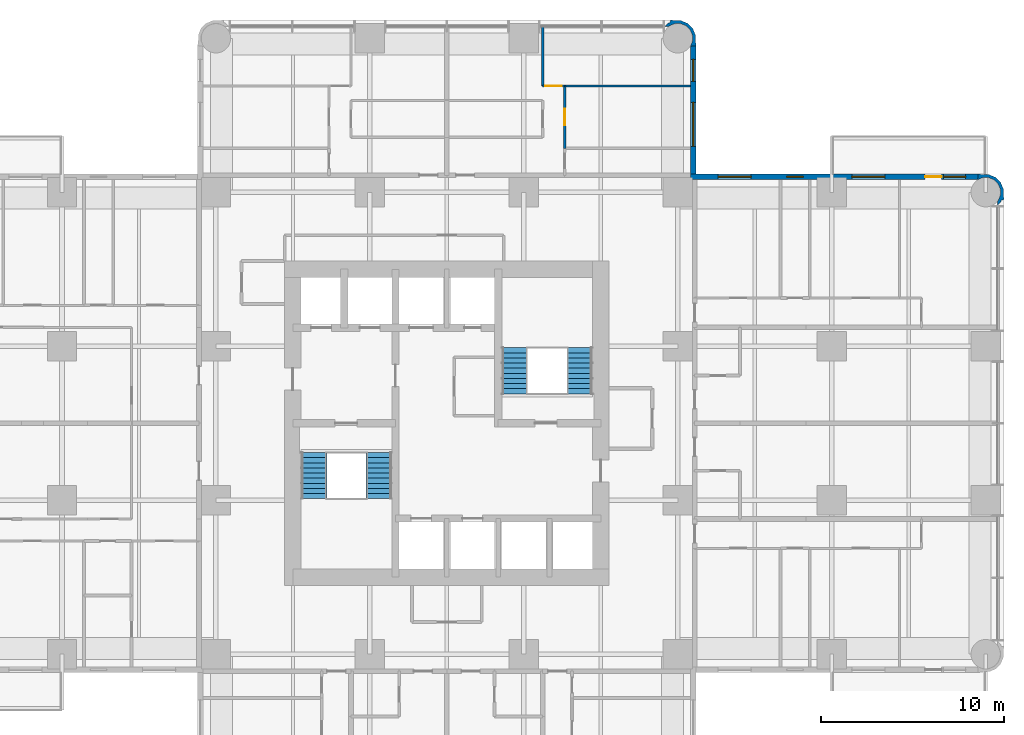
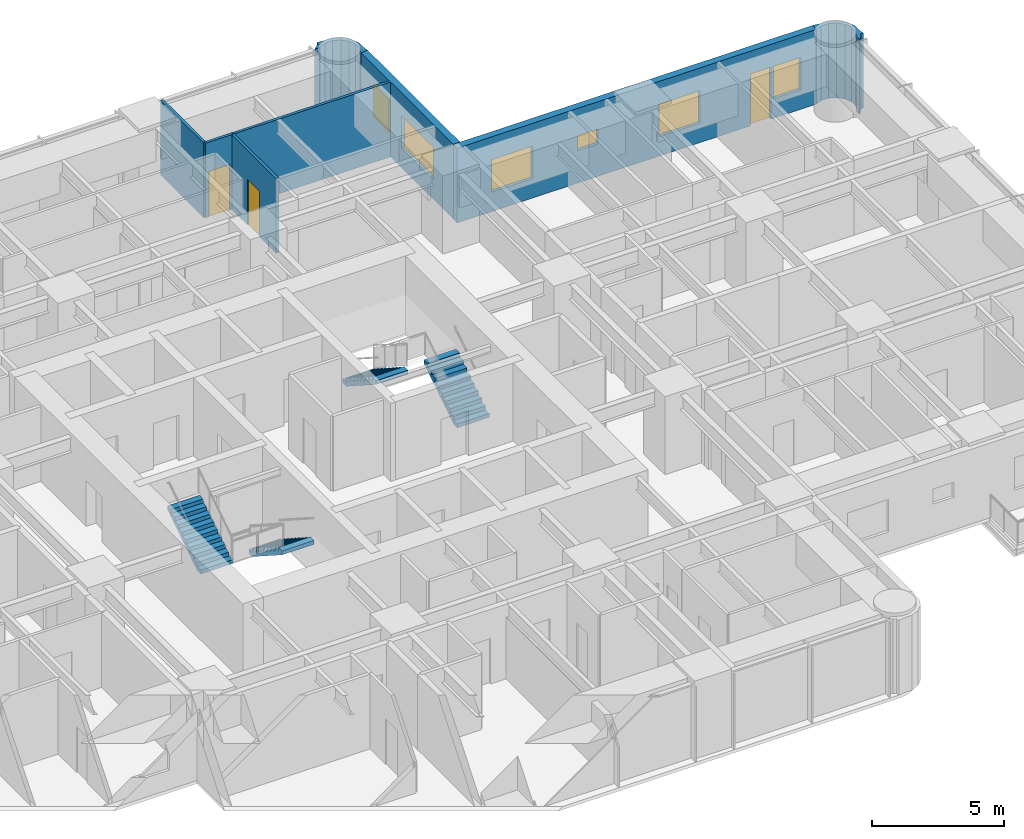
# One storey, part 12 of 14: 8 walls, 6 windows, 4 stair flights, 3 doors, 9 openings, 2 elements without a shape of their own.
"""IFC4 building model written with IfcOpenShell, lengths in metres."""

from ifc_helpers import new_model, si_unit, direction, frame, frame_2d, origin, place, context, subcontext, project, spatial, polyline, rectangle, outline, extrude, material, layer, layer_set, type_object, element, fill, aggregate, save


model = new_model("IFC4")

# Units and contexts
model_context = context("Model", 3, precision=1e-05, world=origin(), true_north=direction((0.0, 1.0)))
body_context = subcontext(model_context, "Body", "Model", "MODEL_VIEW")
ifc_project = project(units=[si_unit("LENGTHUNIT", "METRE"), si_unit("AREAUNIT", "SQUARE_METRE"), si_unit("VOLUMEUNIT", "CUBIC_METRE"), si_unit("PLANEANGLEUNIT", "RADIAN"), si_unit("MASSUNIT", "GRAM", prefix="KILO")], contexts=[model_context])

# Site, building, storey
site_placement = place(None, origin())
site = spatial("IfcSite", under=ifc_project, at=site_placement, CompositionType="ELEMENT")
building_placement = place(site_placement, origin())
building = spatial("IfcBuilding", under=site, at=building_placement, Name="Torre Alcanfor", CompositionType="ELEMENT")
storey_placement = place(building_placement, frame((0.0, 0.0, 159.300048828125)))
storey = spatial("IfcBuildingStorey", under=building, at=storey_placement, Name="L41", CompositionType="ELEMENT", Elevation=159.300048828125)

# Wall, opening, door
ifc_material_1 = material(Name="Gypsum board on steel studs", Category="steel")
ifc_layer_1 = layer(ifc_material_1, 0.1201171875)
ifc_layer_set_1 = layer_set([ifc_layer_1], Name="Apartment partition 120")
wall_type_1 = type_object("IfcWallType", Name="Apartment partition 120", PredefinedType="PARTITIONING", material=ifc_layer_set_1)
wall_1_placement = place(storey_placement, frame((35.8291015625, 47.800048828125, 0.0), z_axis=(0.0, 0.0, 1.0), x_axis=(0.0, -1.0, 0.0)))
wall_1 = element("IfcWall", 1, at=wall_1_placement, inside=storey, type_object=wall_type_1, Name="Partition L41-N2-LIVING / L41-N2-STUDY", PredefinedType="PARTITIONING", context=body_context, shape_type="SweptSolid", body=[
    extrude(rectangle(XDim=3.400146484375, YDim=0.1201171875, at=frame_2d((1.7001953125, 0.0))), origin(), (0.0, 0.0, 1.0), 3.449951171875),
])
opening_1_placement = place(wall_1_placement, frame((1.25, 0.0, 0.0)))
opening_1 = element("IfcOpeningElement", 2, at=opening_1_placement, cuts=wall_1, Name="Opening D-R1", PredefinedType="OPENING", context=body_context, shape_type="SweptSolid", body=[
    extrude(rectangle(XDim=0.89990234375, YDim=2.10009765625, at=frame_2d((0.449951171875, 1.050048828125))), frame((0.0, 0.070068359375, 0.0), z_axis=(0.0, -1.0, 0.0), x_axis=(1.0, 0.0, 0.0)), (0.0, 0.0, 1.0), 0.14013671875),
])
ifc_material_2 = material(Name="Timber", Category="wood")
door_type_1 = type_object("IfcDoorType", Name="Internal door 900x2100", OperationType="SINGLE_SWING_LEFT", PredefinedType="DOOR", material=ifc_material_2)
door_1_placement = place(opening_1_placement, origin())
door_1 = element("IfcDoor", 3, at=door_1_placement, inside=storey, type_object=door_type_1, Name="Door L41-N2 study", OperationType="SINGLE_SWING_LEFT", OverallHeight=2.10009765625, OverallWidth=0.89990234375, PredefinedType="DOOR", context=body_context, shape_type="SweptSolid", body=[
    extrude(rectangle(XDim=0.89990234375, YDim=2.10009765625, at=frame_2d((0.449951171875, 1.050048828125))), frame((0.0, 0.02490234375, 0.0), z_axis=(0.0, -1.0, 0.0), x_axis=(1.0, 0.0, 0.0)), (0.0, 0.0, 1.0), 0.050048828125),
])
fill(opening_1, door_1)

# Wall
wall_2_placement = place(storey_placement, frame((34.62890625, 51.050048828125, 0.0), z_axis=(0.0, 0.0, 1.0), x_axis=(0.0, -1.0, 0.0)))
element("IfcWall", 4, at=wall_2_placement, inside=storey, type_object=wall_type_1, Name="Partition L41-N2-LIVING / L41-N2-MASTER", PredefinedType="PARTITIONING", context=body_context, shape_type="SweptSolid", body=[
    extrude(rectangle(XDim=3.25, YDim=0.1201171875, at=frame_2d((1.625, 0.0))), origin(), (0.0, 0.0, 1.0), 3.449951171875),
])

# Wall, opening, door
wall_3_placement = place(storey_placement, frame((34.62890625, 47.800048828125, 0.0), z_axis=(0.0, 0.0, 1.0), x_axis=(1.0, 0.0, 0.0)))
wall_3 = element("IfcWall", 5, at=wall_3_placement, inside=storey, type_object=wall_type_1, Name="Partition L41-N2-LIVING / L41-N2-MASTER", PredefinedType="PARTITIONING", context=body_context, shape_type="SweptSolid", body=[
    extrude(rectangle(XDim=1.2001953125, YDim=0.1201171875, at=frame_2d((0.60009765625, 0.0))), origin(), (0.0, 0.0, 1.0), 3.449951171875),
])
opening_2_placement = place(wall_3_placement, frame((0.15087890625, 0.0, 0.0)))
opening_2 = element("IfcOpeningElement", 6, at=opening_2_placement, cuts=wall_3, Name="Opening D-R1", PredefinedType="OPENING", context=body_context, shape_type="SweptSolid", body=[
    extrude(rectangle(XDim=0.89990234375, YDim=2.10009765625, at=frame_2d((0.449951171875, 1.050048828125))), frame((0.0, 0.070068359375, 0.0), z_axis=(0.0, -1.0, 0.0), x_axis=(1.0, 0.0, 0.0)), (0.0, 0.0, 1.0), 0.14013671875),
])
door_2_placement = place(opening_2_placement, origin())
door_2 = element("IfcDoor", 7, at=door_2_placement, inside=storey, type_object=door_type_1, Name="Door L41-N2 master", OperationType="SINGLE_SWING_LEFT", OverallHeight=2.10009765625, OverallWidth=0.89990234375, PredefinedType="DOOR", context=body_context, shape_type="SweptSolid", body=[
    extrude(rectangle(XDim=0.89990234375, YDim=2.10009765625, at=frame_2d((0.449951171875, 1.050048828125))), frame((0.0, 0.02490234375, 0.0), z_axis=(0.0, -1.0, 0.0), x_axis=(1.0, 0.0, 0.0)), (0.0, 0.0, 1.0), 0.050048828125),
])
fill(opening_2, door_2)

# Wall
wall_4_placement = place(storey_placement, frame((35.8291015625, 47.800048828125, 0.0), z_axis=(0.0, 0.0, 1.0), x_axis=(1.0, 0.0, 0.0)))
element("IfcWall", 8, at=wall_4_placement, inside=storey, type_object=wall_type_1, Name="Partition L41-N2-STUDY / L41-N2-MASTER", PredefinedType="PARTITIONING", context=body_context, shape_type="SweptSolid", body=[
    extrude(rectangle(XDim=6.870849609375, YDim=0.1201171875, at=frame_2d((3.435546875, 0.0))), origin(), (0.0, 0.0, 1.0), 3.449951171875),
])

# Wall, openings, door, windows
ifc_material_3 = material(Name="Limestone cladding", Category="masonry")
ifc_layer_2 = layer(ifc_material_3, 0.0400390625, Name="Facing")
ifc_material_4 = material(Name="Ventilated air cavity")
ifc_layer_3 = layer(ifc_material_4, 0.02001953125, ventilated=True, Name="Ventilated joint")
ifc_material_5 = material(Name="Mineral wool insulation", Category="insulation")
ifc_layer_4 = layer(ifc_material_5, 0.10009765625, Name="Insulation")
ifc_material_6 = material(Name="Concrete f'c 35 MPa", Category="concrete")
ifc_layer_5 = layer(ifc_material_6, 0.139892578125, Name="Backing")
ifc_layer_set_2 = layer_set([ifc_layer_2, ifc_layer_3, ifc_layer_4, ifc_layer_5], Name="External wall stone-clad 300")
wall_type_2 = type_object("IfcWallType", Name="External wall stone-clad 300", PredefinedType="SOLIDWALL", material=ifc_layer_set_2)
wall_5_placement = place(storey_placement, frame((58.39990234375, 42.85009765625, 0.0), z_axis=(0.0, 0.0, 1.0), x_axis=(-1.0, 0.0, 0.0)))
wall_5 = element("IfcWall", 9, at=wall_5_placement, inside=storey, type_object=wall_type_2, Name="External wall L41 9", PredefinedType="SOLIDWALL", context=body_context, shape_type="SweptSolid", body=[
    extrude(rectangle(XDim=15.699951171875, YDim=0.300048828125, at=frame_2d((7.85009765625, 0.0))), origin(), (0.0, 0.0, 1.0), 3.449951171875),
])
opening_3_placement = place(wall_5_placement, frame((12.39990234375, 0.0, 0.89990234375)))
opening_3 = element("IfcOpeningElement", 10, at=opening_3_placement, cuts=wall_5, Name="Opening W2", PredefinedType="OPENING", context=body_context, shape_type="SweptSolid", body=[
    extrude(rectangle(XDim=1.800048828125, YDim=1.5, at=frame_2d((0.89990234375, 0.75))), frame((0.0, 0.159912109375, 0.0), z_axis=(0.0, -1.0, 0.0), x_axis=(1.0, 0.0, 0.0)), (0.0, 0.0, 1.0), 0.320068359375),
])
opening_4_placement = place(wall_5_placement, frame((9.550048828125, 0.0, 1.5)))
opening_4 = element("IfcOpeningElement", 11, at=opening_4_placement, cuts=wall_5, Name="Opening W3", PredefinedType="OPENING", context=body_context, shape_type="SweptSolid", body=[
    extrude(rectangle(XDim=0.89990234375, YDim=0.699951171875, at=frame_2d((0.449951171875, 0.35009765625))), frame((0.0, 0.159912109375, 0.0), z_axis=(0.0, -1.0, 0.0), x_axis=(1.0, 0.0, 0.0)), (0.0, 0.0, 1.0), 0.320068359375),
])
opening_5_placement = place(wall_5_placement, frame((5.10009765625, 0.0, 0.89990234375)))
opening_5 = element("IfcOpeningElement", 12, at=opening_5_placement, cuts=wall_5, Name="Opening W2", PredefinedType="OPENING", context=body_context, shape_type="SweptSolid", body=[
    extrude(rectangle(XDim=1.800048828125, YDim=1.5, at=frame_2d((0.89990234375, 0.75))), frame((0.0, 0.159912109375, 0.0), z_axis=(0.0, -1.0, 0.0), x_axis=(1.0, 0.0, 0.0)), (0.0, 0.0, 1.0), 0.320068359375),
])
opening_6_placement = place(wall_5_placement, frame((2.0, 0.0, 0.0)))
opening_6 = element("IfcOpeningElement", 13, at=opening_6_placement, cuts=wall_5, Name="Opening D-B1", PredefinedType="OPENING", context=body_context, shape_type="SweptSolid", body=[
    extrude(rectangle(XDim=0.89990234375, YDim=2.39990234375, at=frame_2d((0.449951171875, 1.199951171875))), frame((0.0, 0.159912109375, 0.0), z_axis=(0.0, -1.0, 0.0), x_axis=(1.0, 0.0, 0.0)), (0.0, 0.0, 1.0), 0.320068359375),
])
opening_7_placement = place(wall_5_placement, frame((0.699951171875, 0.0, 0.89990234375)))
opening_7 = element("IfcOpeningElement", 14, at=opening_7_placement, cuts=wall_5, Name="Opening W4", PredefinedType="OPENING", context=body_context, shape_type="SweptSolid", body=[
    extrude(rectangle(XDim=1.199951171875, YDim=1.5, at=frame_2d((0.60009765625, 0.75))), frame((0.0, 0.159912109375, 0.0), z_axis=(0.0, -1.0, 0.0), x_axis=(1.0, 0.0, 0.0)), (0.0, 0.0, 1.0), 0.320068359375),
])
ifc_material_7 = material(Name="Aluminium and glass", Category="aluminium")
door_type_2 = type_object("IfcDoorType", Name="Balcony door glazed 900x2400", OperationType="SINGLE_SWING_LEFT", PredefinedType="DOOR", material=ifc_material_7)
door_3_placement = place(opening_6_placement, origin())
door_3 = element("IfcDoor", 15, at=door_3_placement, inside=storey, type_object=door_type_2, Name="Balcony door L41-E1", OperationType="SINGLE_SWING_RIGHT", OverallHeight=2.39990234375, OverallWidth=0.89990234375, PredefinedType="DOOR", context=body_context, shape_type="SweptSolid", body=[
    extrude(rectangle(XDim=0.89990234375, YDim=2.39990234375, at=frame_2d((0.449951171875, 1.199951171875))), frame((0.0, 0.02490234375, 0.0), z_axis=(0.0, -1.0, 0.0), x_axis=(1.0, 0.0, 0.0)), (0.0, 0.0, 1.0), 0.050048828125),
])
fill(opening_6, door_3)
ifc_material_8 = material(Name="Aluminium frame with clear double glazing", Category="aluminium")
window_type_1 = type_object("IfcWindowType", Name="Window bathroom 900x700", PartitioningType="SINGLE_PANEL", PredefinedType="WINDOW", material=ifc_material_8)
window_1_placement = place(opening_4_placement, origin())
window_1 = element("IfcWindow", 16, at=window_1_placement, inside=storey, type_object=window_type_1, Name="Window W3 L41-E1", OverallHeight=0.699951171875, OverallWidth=0.89990234375, PartitioningType="SINGLE_PANEL", PredefinedType="WINDOW", context=body_context, shape_type="SweptSolid", body=[
    extrude(rectangle(XDim=0.89990234375, YDim=0.699951171875, at=frame_2d((0.449951171875, 0.35009765625))), frame((0.0, 0.030029296875, 0.0), z_axis=(0.0, -1.0, 0.0), x_axis=(1.0, 0.0, 0.0)), (0.0, 0.0, 1.0), 0.06005859375),
])
fill(opening_4, window_1)
ifc_material_9 = material(Name="Aluminium frame with clear double glazing", Category="aluminium")
window_type_2 = type_object("IfcWindowType", Name="Window bedroom 1200x1500", PartitioningType="SINGLE_PANEL", PredefinedType="WINDOW", material=ifc_material_9)
window_2_placement = place(opening_7_placement, origin())
window_2 = element("IfcWindow", 17, at=window_2_placement, inside=storey, type_object=window_type_2, Name="Window W4 L41-E1", OverallHeight=1.5, OverallWidth=1.199951171875, PartitioningType="SINGLE_PANEL", PredefinedType="WINDOW", context=body_context, shape_type="SweptSolid", body=[
    extrude(rectangle(XDim=1.199951171875, YDim=1.5, at=frame_2d((0.60009765625, 0.75))), frame((0.0, 0.030029296875, 0.0), z_axis=(0.0, -1.0, 0.0), x_axis=(1.0, 0.0, 0.0)), (0.0, 0.0, 1.0), 0.06005859375),
])
fill(opening_7, window_2)
ifc_material_10 = material(Name="Aluminium frame with clear double glazing", Category="aluminium")
window_type_3 = type_object("IfcWindowType", Name="Window bedroom 1800x1500", PartitioningType="SINGLE_PANEL", PredefinedType="WINDOW", material=ifc_material_10)
window_3_placement = place(opening_3_placement, origin())
window_3 = element("IfcWindow", 18, at=window_3_placement, inside=storey, type_object=window_type_3, Name="Window W2 L41-E1", OverallHeight=1.5, OverallWidth=1.800048828125, PartitioningType="SINGLE_PANEL", PredefinedType="WINDOW", context=body_context, shape_type="SweptSolid", body=[
    extrude(rectangle(XDim=1.800048828125, YDim=1.5, at=frame_2d((0.89990234375, 0.75))), frame((0.0, 0.030029296875, 0.0), z_axis=(0.0, -1.0, 0.0), x_axis=(1.0, 0.0, 0.0)), (0.0, 0.0, 1.0), 0.06005859375),
])
fill(opening_3, window_3)
window_4_placement = place(opening_5_placement, origin())
window_4 = element("IfcWindow", 19, at=window_4_placement, inside=storey, type_object=window_type_3, Name="Window W2 L41-E1", OverallHeight=1.5, OverallWidth=1.800048828125, PartitioningType="SINGLE_PANEL", PredefinedType="WINDOW", context=body_context, shape_type="SweptSolid", body=[
    extrude(rectangle(XDim=1.800048828125, YDim=1.5, at=frame_2d((0.89990234375, 0.75))), frame((0.0, 0.030029296875, 0.0), z_axis=(0.0, -1.0, 0.0), x_axis=(1.0, 0.0, 0.0)), (0.0, 0.0, 1.0), 0.06005859375),
])
fill(opening_5, window_4)

# Wall, openings, windows
wall_6_placement = place(storey_placement, frame((42.85009765625, 43.0, 0.0), z_axis=(0.0, 0.0, 1.0), x_axis=(0.0, 1.0, 0.0)))
wall_6 = element("IfcWall", 20, at=wall_6_placement, inside=storey, type_object=wall_type_2, Name="External wall L41 10", PredefinedType="SOLIDWALL", context=body_context, shape_type="SweptSolid", body=[
    extrude(rectangle(XDim=7.0, YDim=0.300048828125, at=frame_2d((3.5, 0.0))), origin(), (0.0, 0.0, 1.0), 3.449951171875),
])
opening_8_placement = place(wall_6_placement, frame((1.5, 0.0, 0.89990234375)))
opening_8 = element("IfcOpeningElement", 21, at=opening_8_placement, cuts=wall_6, Name="Opening W1", PredefinedType="OPENING", context=body_context, shape_type="SweptSolid", body=[
    extrude(rectangle(XDim=2.39990234375, YDim=1.5, at=frame_2d((1.199951171875, 0.75))), frame((0.0, 0.159912109375, 0.0), z_axis=(0.0, -1.0, 0.0), x_axis=(1.0, 0.0, 0.0)), (0.0, 0.0, 1.0), 0.320068359375),
])
opening_9_placement = place(wall_6_placement, frame((5.050048828125, 0.0, 0.89990234375)))
opening_9 = element("IfcOpeningElement", 22, at=opening_9_placement, cuts=wall_6, Name="Opening W4", PredefinedType="OPENING", context=body_context, shape_type="SweptSolid", body=[
    extrude(rectangle(XDim=1.199951171875, YDim=1.5, at=frame_2d((0.60009765625, 0.75))), frame((0.0, 0.159912109375, 0.0), z_axis=(0.0, -1.0, 0.0), x_axis=(1.0, 0.0, 0.0)), (0.0, 0.0, 1.0), 0.320068359375),
])
window_5_placement = place(opening_9_placement, origin())
window_5 = element("IfcWindow", 23, at=window_5_placement, inside=storey, type_object=window_type_2, Name="Window W4 L41-N2", OverallHeight=1.5, OverallWidth=1.199951171875, PartitioningType="SINGLE_PANEL", PredefinedType="WINDOW", context=body_context, shape_type="SweptSolid", body=[
    extrude(rectangle(XDim=1.199951171875, YDim=1.5, at=frame_2d((0.60009765625, 0.75))), frame((0.0, 0.030029296875, 0.0), z_axis=(0.0, -1.0, 0.0), x_axis=(1.0, 0.0, 0.0)), (0.0, 0.0, 1.0), 0.06005859375),
])
fill(opening_9, window_5)
ifc_material_11 = material(Name="Aluminium frame with clear double glazing", Category="aluminium")
window_type_4 = type_object("IfcWindowType", Name="Window bedroom 2400x1500", PartitioningType="SINGLE_PANEL", PredefinedType="WINDOW", material=ifc_material_11)
window_6_placement = place(opening_8_placement, origin())
window_6 = element("IfcWindow", 24, at=window_6_placement, inside=storey, type_object=window_type_4, Name="Window W1 L41-N2", OverallHeight=1.5, OverallWidth=2.39990234375, PartitioningType="SINGLE_PANEL", PredefinedType="WINDOW", context=body_context, shape_type="SweptSolid", body=[
    extrude(rectangle(XDim=2.39990234375, YDim=1.5, at=frame_2d((1.199951171875, 0.75))), frame((0.0, 0.030029296875, 0.0), z_axis=(0.0, -1.0, 0.0), x_axis=(1.0, 0.0, 0.0)), (0.0, 0.0, 1.0), 0.06005859375),
])
fill(opening_8, window_6)

# Walls
ifc_layer_6 = layer(ifc_material_3, 0.0400390625, Name="Facing")
ifc_layer_7 = layer(ifc_material_4, 0.02001953125, ventilated=True, Name="Ventilated joint")
ifc_layer_8 = layer(ifc_material_5, 0.10009765625, Name="Insulation")
ifc_layer_9 = layer(ifc_material_6, 0.139892578125, Name="Backing")
ifc_layer_set_3 = layer_set([ifc_layer_6, ifc_layer_7, ifc_layer_8, ifc_layer_9], Name="Rounded corner pier stone-clad 300")
wall_type_3 = type_object("IfcWallType", Name="Rounded corner pier stone-clad 300", PredefinedType="SOLIDWALL", material=ifc_layer_set_3)
wall_7_placement = place(storey_placement, frame((59.395317512, 41.351928198, 0.0), z_axis=(0.0, 0.0, 1.0), x_axis=(0.93923434088, 0.343276641956, 0.0)))
element("IfcWall", 25, at=wall_7_placement, inside=storey, type_object=wall_type_3, Name="Corner pier L41 18", PredefinedType="SOLIDWALL", context=body_context, shape_type="SweptSolid", body=[
    extrude(outline(polyline([(0.5319791374717469, 0.3931546875748424), (0.6305370795958255, 0.662817672163305), (0.614285462759775, 1.044364627998893), (0.4533652442516045, 1.3906676424071163), (0.17222000156622597, 1.6491237258576117), (-0.09744298302223653, 1.7476816679816904), (-0.36918355555989557, 1.8896284089825286), (-0.509101456401082, 1.6213052972671853), (-0.49052773042177455, 1.6145168675800676), (-0.47941981662998623, 1.6086375342973744), (-0.2113919059229058, 1.6201101578142136), (0.08785145707704622, 1.5107410128550955), (0.32257352025202113, 1.2952455132706726), (0.4567838912150332, 1.0060128786275908), (0.47036434537540095, 0.687566849311498), (0.36107900819019806, 0.38855279157054984), (0.14535420334677107, 0.1539145361694899), (0.10800994465551556, 0.13637103018492347), (0.030906792653685306, -0.07458980809856762), (0.2410056377422186, 0.023039004395991533), (0.3334055822831027, 0.12365495968313633), (0.46532832919806827, 0.0941544704520565), (0.5319791374717469, 0.3931546875748424)])), origin(), (0.0, 0.0, 1.0), 3.449951171875),
])
wall_8_placement = place(storey_placement, frame((42.817059488, 50.073176205, 0.0), z_axis=(0.0, 0.0, 1.0), x_axis=(0.343276641956, 0.93923434088, 0.0)))
element("IfcWall", 26, at=wall_8_placement, inside=storey, type_object=wall_type_3, Name="Corner pier L41 19", PredefinedType="SOLIDWALL", context=body_context, shape_type="SweptSolid", body=[
    extrude(outline(polyline([(0.2655808672444785, -0.0550807599050476), (0.5354731570919448, 0.04356098999294611), (0.8166183997773234, 0.30201707344344164), (0.9775386182854939, 0.6483200878516648), (0.9937902351215443, 1.0298670436872528), (0.8952322929974657, 1.2995300282757154), (0.8283521794647835, 1.5984464376245864), (0.6966587378088214, 1.5690297561674216), (0.6042587932679374, 1.6696457114545662), (0.39415994817940425, 1.7672745239491254), (0.47126310018123446, 1.5563136856656343), (0.50860735887249, 1.538770179681068), (0.7241028584569131, 1.304048116506093), (0.833388195642116, 1.0050340587651447), (0.8200370467407522, 0.686671837222967), (0.68582667577774, 0.3974392025798854), (0.4511046126027651, 0.18194370299546214), (0.15186124960281305, 0.07257455803634424), (-0.11616666110426738, 0.08404718155318341), (-0.12750388015505948, 0.07808404049657515), (-0.14607760613436685, 0.07129561080945748), (-0.0059304000341767055, -0.19694369313197083), (0.2655808672444785, -0.0550807599050476)])), origin(), (0.0, 0.0, 1.0), 3.449951171875),
])

# Stair, stair flights
ifc_material_12 = material(Name="Concrete f'c 35 MPa", Category="concrete")
stair_type_1 = type_object("IfcStairType", Name="Exit stair S1 1400 wide", PredefinedType="HALF_TURN_STAIR", material=ifc_material_12)
stair_1_placement = place(storey_placement, origin())
stair_1 = element("IfcStair", 27, at=stair_1_placement, inside=storey, type_object=stair_type_1, Name="Stair S1 L41 to L42", PredefinedType="HALF_TURN_STAIR")
ifc_material_13 = material(Name="Concrete f'c 35 MPa", Category="concrete")
stair_flight_type = type_object("IfcStairFlightType", Name="Stair flight 1400", PredefinedType="STRAIGHT", material=ifc_material_13)
stair_flight_1_placement = place(storey_placement, frame((25.699951171875, 27.800048828125, 0.0), z_axis=(0.0, 0.0, 1.0), x_axis=(0.0, -1.0, 0.0)))
stair_flight_1 = element("IfcStairFlight", 28, at=stair_flight_1_placement, type_object=stair_flight_type, Name="S1 flight 1", NumberOfRisers=10, NumberOfTreads=9, PredefinedType="STRAIGHT", RiserHeight=0.18, TreadLength=0.28, context=body_context, shape_type="SweptSolid", body=[
    extrude(outline(polyline([(0.0, 0.0), (0.0, 0.179931640625), (0.280029296875, 0.179931640625), (0.280029296875, 0.360107421875), (0.56005859375, 0.360107421875), (0.56005859375, 0.5400390625), (0.840087890625, 0.5400390625), (0.840087890625, 0.719970703125), (1.1201171875, 0.719970703125), (1.1201171875, 0.89990234375), (1.39990234375, 0.89990234375), (1.39990234375, 1.080078125), (1.679931640625, 1.080078125), (1.679931640625, 1.260009765625), (1.9599609375, 1.260009765625), (1.9599609375, 1.43994140625), (2.239990234375, 1.43994140625), (2.239990234375, 1.6201171875), (2.52001953125, 1.6201171875), (2.52001953125, 1.800048828125), (2.52001953125, 1.44189453125), (0.277099609375, 0.0), (0.0, 0.0)])), frame((0.0, 0.699951171875, 0.0), z_axis=(0.0, -1.0, 0.0), x_axis=(1.0, 0.0, 0.0)), (0.0, 0.0, 1.0), 1.39990234375),
])
stair_flight_2_placement = place(storey_placement, frame((22.14990234375, 25.280029296875, 1.800048828125), z_axis=(0.0, 0.0, 1.0), x_axis=(0.0, 1.0, 0.0)))
stair_flight_2 = element("IfcStairFlight", 29, at=stair_flight_2_placement, type_object=stair_flight_type, Name="S1 flight 2", NumberOfRisers=10, NumberOfTreads=9, PredefinedType="STRAIGHT", RiserHeight=0.18, TreadLength=0.28, context=body_context, shape_type="SweptSolid", body=[
    extrude(outline(polyline([(0.0, 0.0), (0.0, 0.179931640625), (0.280029296875, 0.179931640625), (0.280029296875, 0.360107421875), (0.56005859375, 0.360107421875), (0.56005859375, 0.5400390625), (0.840087890625, 0.5400390625), (0.840087890625, 0.719970703125), (1.1201171875, 0.719970703125), (1.1201171875, 0.89990234375), (1.39990234375, 0.89990234375), (1.39990234375, 1.080078125), (1.679931640625, 1.080078125), (1.679931640625, 1.260009765625), (1.9599609375, 1.260009765625), (1.9599609375, 1.43994140625), (2.239990234375, 1.43994140625), (2.239990234375, 1.6201171875), (2.52001953125, 1.6201171875), (2.52001953125, 1.800048828125), (2.52001953125, 1.44189453125), (0.277099609375, 0.0), (0.0, 0.0)])), frame((0.0, 0.699951171875, 0.0), z_axis=(0.0, -1.0, 0.0), x_axis=(1.0, 0.0, 0.0)), (0.0, 0.0, 1.0), 1.39990234375),
])
aggregate(stair_1, [stair_flight_1, stair_flight_2])

ifc_material_14 = material(Name="Concrete f'c 35 MPa", Category="concrete")
stair_type_2 = type_object("IfcStairType", Name="Exit stair S2 1400 wide", PredefinedType="HALF_TURN_STAIR", material=ifc_material_14)
stair_2_placement = place(storey_placement, origin())
stair_2 = element("IfcStair", 30, at=stair_2_placement, inside=storey, type_object=stair_type_2, Name="Stair S2 L41 to L42", PredefinedType="HALF_TURN_STAIR")
stair_flight_3_placement = place(storey_placement, frame((36.64990234375, 31.0, 0.0), z_axis=(0.0, 0.0, 1.0), x_axis=(0.0, 1.0, 0.0)))
stair_flight_3 = element("IfcStairFlight", 31, at=stair_flight_3_placement, type_object=stair_flight_type, Name="S2 flight 1", NumberOfRisers=10, NumberOfTreads=9, PredefinedType="STRAIGHT", RiserHeight=0.18, TreadLength=0.28, context=body_context, shape_type="SweptSolid", body=[
    extrude(outline(polyline([(0.0, 0.0), (0.0, 0.179931640625), (0.280029296875, 0.179931640625), (0.280029296875, 0.360107421875), (0.56005859375, 0.360107421875), (0.56005859375, 0.5400390625), (0.840087890625, 0.5400390625), (0.840087890625, 0.719970703125), (1.1201171875, 0.719970703125), (1.1201171875, 0.89990234375), (1.39990234375, 0.89990234375), (1.39990234375, 1.080078125), (1.679931640625, 1.080078125), (1.679931640625, 1.260009765625), (1.9599609375, 1.260009765625), (1.9599609375, 1.43994140625), (2.239990234375, 1.43994140625), (2.239990234375, 1.6201171875), (2.52001953125, 1.6201171875), (2.52001953125, 1.800048828125), (2.52001953125, 1.44189453125), (0.277099609375, 0.0), (0.0, 0.0)])), frame((0.0, 0.699951171875, 0.0), z_axis=(0.0, -1.0, 0.0), x_axis=(1.0, 0.0, 0.0)), (0.0, 0.0, 1.0), 1.39990234375),
])
stair_flight_4_placement = place(storey_placement, frame((33.10009765625, 33.52001953125, 1.800048828125), z_axis=(0.0, 0.0, 1.0), x_axis=(0.0, -1.0, 0.0)))
stair_flight_4 = element("IfcStairFlight", 32, at=stair_flight_4_placement, type_object=stair_flight_type, Name="S2 flight 2", NumberOfRisers=10, NumberOfTreads=9, PredefinedType="STRAIGHT", RiserHeight=0.18, TreadLength=0.28, context=body_context, shape_type="SweptSolid", body=[
    extrude(outline(polyline([(0.0, 0.0), (0.0, 0.179931640625), (0.280029296875, 0.179931640625), (0.280029296875, 0.360107421875), (0.56005859375, 0.360107421875), (0.56005859375, 0.5400390625), (0.840087890625, 0.5400390625), (0.840087890625, 0.719970703125), (1.1201171875, 0.719970703125), (1.1201171875, 0.89990234375), (1.39990234375, 0.89990234375), (1.39990234375, 1.080078125), (1.679931640625, 1.080078125), (1.679931640625, 1.260009765625), (1.9599609375, 1.260009765625), (1.9599609375, 1.43994140625), (2.239990234375, 1.43994140625), (2.239990234375, 1.6201171875), (2.52001953125, 1.6201171875), (2.52001953125, 1.800048828125), (2.52001953125, 1.44189453125), (0.277099609375, 0.0), (0.0, 0.0)])), frame((0.0, 0.699951171875, 0.0), z_axis=(0.0, -1.0, 0.0), x_axis=(1.0, 0.0, 0.0)), (0.0, 0.0, 1.0), 1.39990234375),
])
aggregate(stair_2, [stair_flight_3, stair_flight_4])

save(model, "model.ifc")
